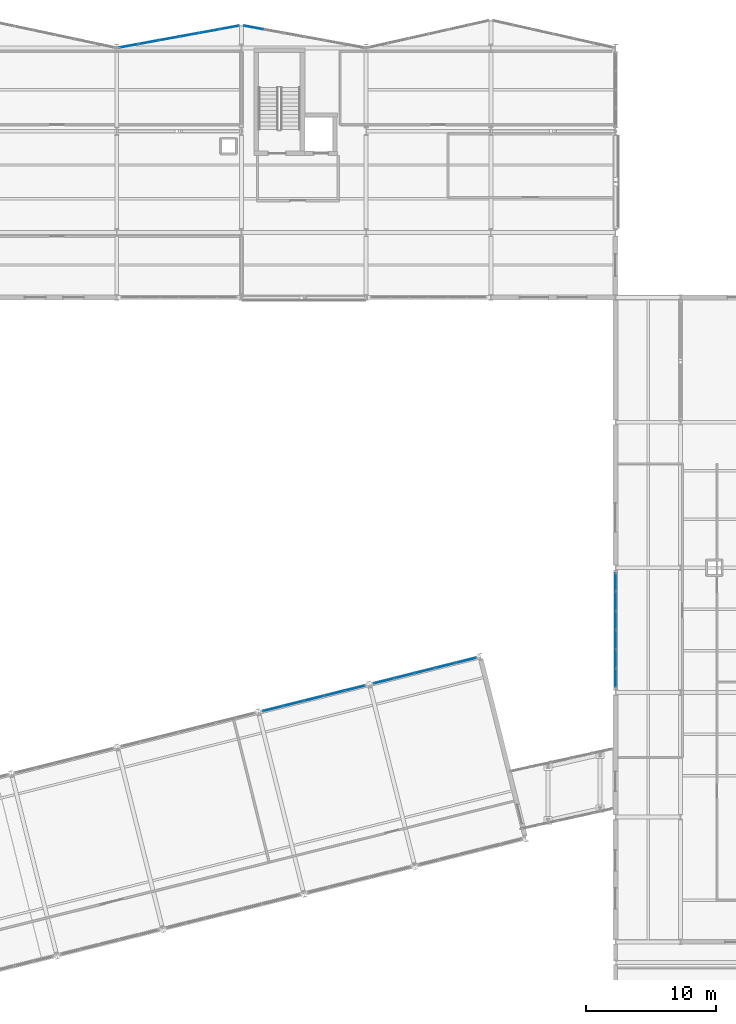
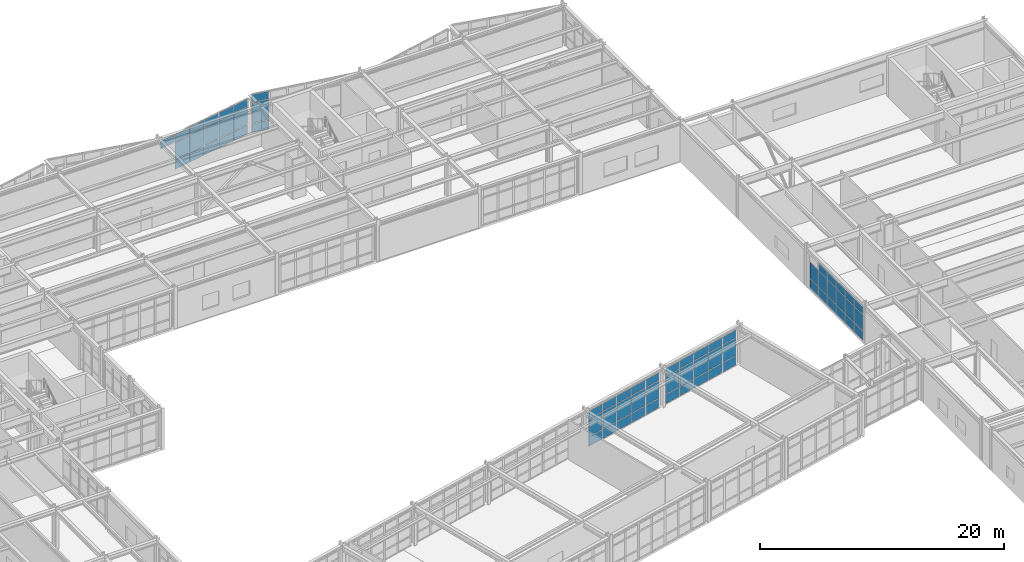
# One storey, part 69 of 99: 66 plates, 5 elements without a shape of their own.
"""IFC4 building model written with IfcOpenShell, lengths in metres."""

from ifc_helpers import new_model, si_unit, direction, frame, origin, origin_2d, place, context, subcontext, project, spatial, rectangle, extrude, material, layer, layer_set, type_object, element, aggregate, save


model = new_model("IFC4")

# Units and contexts
model_context = context("Model", 3, precision=1e-05, world=origin(), true_north=direction((0.0, 1.0)))
body_context = subcontext(model_context, "Body", "Model", "MODEL_VIEW")
ifc_project = project(units=[si_unit("LENGTHUNIT", "METRE"), si_unit("AREAUNIT", "SQUARE_METRE"), si_unit("VOLUMEUNIT", "CUBIC_METRE"), si_unit("PLANEANGLEUNIT", "RADIAN"), si_unit("MASSUNIT", "GRAM", prefix="KILO")], contexts=[model_context])

# Site, building, storey
site_placement = place(None, origin())
site = spatial("IfcSite", under=ifc_project, at=site_placement, CompositionType="ELEMENT")
building_placement = place(site_placement, origin())
building = spatial("IfcBuilding", under=site, at=building_placement, Name="Nordkorset Police Headquarters", CompositionType="ELEMENT")
storey_placement = place(building_placement, frame((0.0, 0.0, 5.25)))
storey = spatial("IfcBuildingStorey", under=building, at=storey_placement, Name="L01", CompositionType="ELEMENT", Elevation=5.25)

# Curtain wall, plates
ifc_material_1 = material(Name="Aluminium alloy AW-6060", Category="aluminium")
ifc_layer_1 = layer(ifc_material_1, 0.179931640625, Name="Aluminium alloy AW-6060")
ifc_layer_set_1 = layer_set([ifc_layer_1], Name="Aluminium alloy AW-6060")
curtain_wall_type_1 = type_object("IfcCurtainWallType", Name="CW_Unit_948x363", PredefinedType="USERDEFINED", material=ifc_layer_set_1)
curtain_wall_1_placement = place(storey_placement, origin())
curtain_wall_1 = element("IfcCurtainWall", 1, at=curtain_wall_1_placement, inside=storey, type_object=curtain_wall_type_1, Name="Unitised Curtain Wall L01 V2N-2", ObjectType="UNITISED CURTAIN WALL", PredefinedType="USERDEFINED")
ifc_material_2 = material(Name="Low-iron triple glazing", Category="glass")
ifc_layer_2 = layer(ifc_material_2, 0.035888671875, Name="Low-iron triple glazing")
ifc_layer_set_2 = layer_set([ifc_layer_2], Name="Low-iron triple glazing")
plate_type = type_object("IfcPlateType", Name="CW_Panel_TripleGlazing_36", PredefinedType="CURTAIN_PANEL", material=ifc_layer_set_2)
plate_1_placement = place(storey_placement, frame((48.9306640625, 116.9697265625, 2.8125), z_axis=(0.0, 0.0, 1.0), x_axis=(0.983787934979, 0.179335715876, 0.0)))
plate_1 = element("IfcPlate", 2, at=plate_1_placement, type_object=plate_type, Name="CW-69 panel 1.3", PredefinedType="CURTAIN_PANEL", context=body_context, shape_type="SweptSolid", body=[
    extrude(rectangle(XDim=1.482177734375, YDim=0.035888671875, at=origin_2d()), origin(), (0.0, 0.0, 1.0), 0.75244140625),
])
plate_2_placement = place(storey_placement, frame((50.46875, 117.25, 0.06494140625), z_axis=(0.0, 0.0, 1.0), x_axis=(0.983787934979, 0.179335715876, 0.0)))
plate_2 = element("IfcPlate", 3, at=plate_2_placement, type_object=plate_type, Name="CW-69 panel 2.1", PredefinedType="CURTAIN_PANEL", context=body_context, shape_type="SweptSolid", body=[
    extrude(rectangle(XDim=1.5146484375, YDim=0.035888671875, at=origin_2d()), origin(), (0.0, 0.0, 1.0), 0.902587890625),
])
plate_3_placement = place(storey_placement, frame((50.46875, 117.25, 1.0322265625), z_axis=(0.0, 0.0, 1.0), x_axis=(0.983787934979, 0.179335715876, 0.0)))
plate_3 = element("IfcPlate", 4, at=plate_3_placement, type_object=plate_type, Name="CW-69 panel 2.2", PredefinedType="CURTAIN_PANEL", context=body_context, shape_type="SweptSolid", body=[
    extrude(rectangle(XDim=1.5146484375, YDim=0.035888671875, at=origin_2d()), origin(), (0.0, 0.0, 1.0), 1.715087890625),
])
plate_4_placement = place(storey_placement, frame((50.46875, 117.25, 2.8125), z_axis=(0.0, 0.0, 1.0), x_axis=(0.983787934979, 0.179335715876, 0.0)))
plate_4 = element("IfcPlate", 5, at=plate_4_placement, type_object=plate_type, Name="CW-69 panel 2.3", PredefinedType="CURTAIN_PANEL", context=body_context, shape_type="SweptSolid", body=[
    extrude(rectangle(XDim=1.5146484375, YDim=0.035888671875, at=origin_2d()), origin(), (0.0, 0.0, 1.0), 0.75244140625),
])
plate_5_placement = place(storey_placement, frame((52.02294921875, 117.533447265625, 0.06494140625), z_axis=(0.0, 0.0, 1.0), x_axis=(0.983787934979, 0.179335715876, 0.0)))
plate_5 = element("IfcPlate", 6, at=plate_5_placement, type_object=plate_type, Name="CW-69 panel 3.1", PredefinedType="CURTAIN_PANEL", context=body_context, shape_type="SweptSolid", body=[
    extrude(rectangle(XDim=1.5146484375, YDim=0.035888671875, at=origin_2d()), origin(), (0.0, 0.0, 1.0), 0.902587890625),
])
plate_6_placement = place(storey_placement, frame((52.02294921875, 117.533447265625, 1.0322265625), z_axis=(0.0, 0.0, 1.0), x_axis=(0.983787934979, 0.179335715876, 0.0)))
plate_6 = element("IfcPlate", 7, at=plate_6_placement, type_object=plate_type, Name="CW-69 panel 3.2", PredefinedType="CURTAIN_PANEL", context=body_context, shape_type="SweptSolid", body=[
    extrude(rectangle(XDim=1.5146484375, YDim=0.035888671875, at=origin_2d()), origin(), (0.0, 0.0, 1.0), 1.715087890625),
])
plate_7_placement = place(storey_placement, frame((52.02294921875, 117.533447265625, 2.8125), z_axis=(0.0, 0.0, 1.0), x_axis=(0.983787934979, 0.179335715876, 0.0)))
plate_7 = element("IfcPlate", 8, at=plate_7_placement, type_object=plate_type, Name="CW-69 panel 3.3", PredefinedType="CURTAIN_PANEL", context=body_context, shape_type="SweptSolid", body=[
    extrude(rectangle(XDim=1.5146484375, YDim=0.035888671875, at=origin_2d()), origin(), (0.0, 0.0, 1.0), 0.75244140625),
])
plate_8_placement = place(storey_placement, frame((53.5771484375, 117.816650390625, 0.06494140625), z_axis=(0.0, 0.0, 1.0), x_axis=(0.983787934979, 0.179335715876, 0.0)))
plate_8 = element("IfcPlate", 9, at=plate_8_placement, type_object=plate_type, Name="CW-69 panel 4.1", PredefinedType="CURTAIN_PANEL", context=body_context, shape_type="SweptSolid", body=[
    extrude(rectangle(XDim=1.5146484375, YDim=0.035888671875, at=origin_2d()), origin(), (0.0, 0.0, 1.0), 0.902587890625),
])
plate_9_placement = place(storey_placement, frame((53.5771484375, 117.816650390625, 1.0322265625), z_axis=(0.0, 0.0, 1.0), x_axis=(0.983787934979, 0.179335715876, 0.0)))
plate_9 = element("IfcPlate", 10, at=plate_9_placement, type_object=plate_type, Name="CW-69 panel 4.2", PredefinedType="CURTAIN_PANEL", context=body_context, shape_type="SweptSolid", body=[
    extrude(rectangle(XDim=1.5146484375, YDim=0.035888671875, at=origin_2d()), origin(), (0.0, 0.0, 1.0), 1.715087890625),
])
plate_10_placement = place(storey_placement, frame((53.5771484375, 117.816650390625, 2.8125), z_axis=(0.0, 0.0, 1.0), x_axis=(0.983787934979, 0.179335715876, 0.0)))
plate_10 = element("IfcPlate", 11, at=plate_10_placement, type_object=plate_type, Name="CW-69 panel 4.3", PredefinedType="CURTAIN_PANEL", context=body_context, shape_type="SweptSolid", body=[
    extrude(rectangle(XDim=1.5146484375, YDim=0.035888671875, at=origin_2d()), origin(), (0.0, 0.0, 1.0), 0.75244140625),
])
plate_11_placement = place(storey_placement, frame((55.131103515625, 118.099853515625, 0.06494140625), z_axis=(0.0, 0.0, 1.0), x_axis=(0.983787934979, 0.179335715876, 0.0)))
plate_11 = element("IfcPlate", 12, at=plate_11_placement, type_object=plate_type, Name="CW-69 panel 5.1", PredefinedType="CURTAIN_PANEL", context=body_context, shape_type="SweptSolid", body=[
    extrude(rectangle(XDim=1.5146484375, YDim=0.035888671875, at=origin_2d()), origin(), (0.0, 0.0, 1.0), 0.902587890625),
])
plate_12_placement = place(storey_placement, frame((55.131103515625, 118.099853515625, 1.0322265625), z_axis=(0.0, 0.0, 1.0), x_axis=(0.983787934979, 0.179335715876, 0.0)))
plate_12 = element("IfcPlate", 13, at=plate_12_placement, type_object=plate_type, Name="CW-69 panel 5.2", PredefinedType="CURTAIN_PANEL", context=body_context, shape_type="SweptSolid", body=[
    extrude(rectangle(XDim=1.5146484375, YDim=0.035888671875, at=origin_2d()), origin(), (0.0, 0.0, 1.0), 1.715087890625),
])
plate_13_placement = place(storey_placement, frame((55.131103515625, 118.099853515625, 2.8125), z_axis=(0.0, 0.0, 1.0), x_axis=(0.983787934979, 0.179335715876, 0.0)))
plate_13 = element("IfcPlate", 14, at=plate_13_placement, type_object=plate_type, Name="CW-69 panel 5.3", PredefinedType="CURTAIN_PANEL", context=body_context, shape_type="SweptSolid", body=[
    extrude(rectangle(XDim=1.5146484375, YDim=0.035888671875, at=origin_2d()), origin(), (0.0, 0.0, 1.0), 0.75244140625),
])
plate_14_placement = place(storey_placement, frame((56.669189453125, 118.38037109375, 0.06494140625), z_axis=(0.0, 0.0, 1.0), x_axis=(0.983787934979, 0.179335715876, 0.0)))
plate_14 = element("IfcPlate", 15, at=plate_14_placement, type_object=plate_type, Name="CW-69 panel 6.1", PredefinedType="CURTAIN_PANEL", context=body_context, shape_type="SweptSolid", body=[
    extrude(rectangle(XDim=1.482177734375, YDim=0.035888671875, at=origin_2d()), origin(), (0.0, 0.0, 1.0), 0.902587890625),
])
plate_15_placement = place(storey_placement, frame((56.669189453125, 118.38037109375, 1.0322265625), z_axis=(0.0, 0.0, 1.0), x_axis=(0.983787934979, 0.179335715876, 0.0)))
plate_15 = element("IfcPlate", 16, at=plate_15_placement, type_object=plate_type, Name="CW-69 panel 6.2", PredefinedType="CURTAIN_PANEL", context=body_context, shape_type="SweptSolid", body=[
    extrude(rectangle(XDim=1.482177734375, YDim=0.035888671875, at=origin_2d()), origin(), (0.0, 0.0, 1.0), 1.715087890625),
])
plate_16_placement = place(storey_placement, frame((56.669189453125, 118.38037109375, 2.8125), z_axis=(0.0, 0.0, 1.0), x_axis=(0.983787934979, 0.179335715876, 0.0)))
plate_16 = element("IfcPlate", 17, at=plate_16_placement, type_object=plate_type, Name="CW-69 panel 6.3", PredefinedType="CURTAIN_PANEL", context=body_context, shape_type="SweptSolid", body=[
    extrude(rectangle(XDim=1.482177734375, YDim=0.035888671875, at=origin_2d()), origin(), (0.0, 0.0, 1.0), 0.75244140625),
])
aggregate(curtain_wall_1, [plate_1, plate_2, plate_3, plate_4, plate_5, plate_6, plate_7, plate_8, plate_9, plate_10, plate_11, plate_12, plate_13, plate_14, plate_15, plate_16])

ifc_material_3 = material(Name="Aluminium alloy AW-6060", Category="aluminium")
ifc_layer_3 = layer(ifc_material_3, 0.179931640625, Name="Aluminium alloy AW-6060")
ifc_layer_set_3 = layer_set([ifc_layer_3], Name="Aluminium alloy AW-6060")
curtain_wall_type_2 = type_object("IfcCurtainWallType", Name="CW_Unit_948x392", PredefinedType="USERDEFINED", material=ifc_layer_set_3)
curtain_wall_2_placement = place(storey_placement, origin())
curtain_wall_2 = element("IfcCurtainWall", 18, at=curtain_wall_2_placement, inside=storey, type_object=curtain_wall_type_2, Name="Unitised Curtain Wall L01 V2N-3", ObjectType="UNITISED CURTAIN WALL", PredefinedType="USERDEFINED")
plate_17_placement = place(storey_placement, frame((58.53076171875, 118.38037109375, 0.06494140625), z_axis=(0.0, 0.0, 1.0), x_axis=(0.983787934979, -0.179335715876, 0.0)))
plate_17 = element("IfcPlate", 19, at=plate_17_placement, type_object=plate_type, Name="CW-65 panel 1.1", PredefinedType="CURTAIN_PANEL", context=body_context, shape_type="SweptSolid", body=[
    extrude(rectangle(XDim=1.482177734375, YDim=0.035888671875, at=origin_2d()), origin(), (0.0, 0.0, 1.0), 0.902587890625),
])
plate_18_placement = place(storey_placement, frame((58.53076171875, 118.38037109375, 1.032470703125), z_axis=(0.0, 0.0, 1.0), x_axis=(0.983787934979, -0.179335715876, 0.0)))
plate_18 = element("IfcPlate", 20, at=plate_18_placement, type_object=plate_type, Name="CW-65 panel 1.2", PredefinedType="CURTAIN_PANEL", context=body_context, shape_type="SweptSolid", body=[
    extrude(rectangle(XDim=1.482177734375, YDim=0.035888671875, at=origin_2d()), origin(), (0.0, 0.0, 1.0), 2.0048828125),
])
plate_19_placement = place(storey_placement, frame((58.53076171875, 118.38037109375, 3.1025390625), z_axis=(0.0, 0.0, 1.0), x_axis=(0.983787934979, -0.179335715876, 0.0)))
plate_19 = element("IfcPlate", 21, at=plate_19_placement, type_object=plate_type, Name="CW-65 panel 1.3", PredefinedType="CURTAIN_PANEL", context=body_context, shape_type="SweptSolid", body=[
    extrude(rectangle(XDim=1.482177734375, YDim=0.035888671875, at=origin_2d()), origin(), (0.0, 0.0, 1.0), 0.75244140625),
])
aggregate(curtain_wall_2, [plate_17, plate_18, plate_19])

ifc_material_4 = material(Name="Aluminium alloy AW-6060", Category="aluminium")
ifc_layer_4 = layer(ifc_material_4, 0.179931640625, Name="Aluminium alloy AW-6060")
ifc_layer_set_4 = layer_set([ifc_layer_4], Name="Aluminium alloy AW-6060")
curtain_wall_type_3 = type_object("IfcCurtainWallType", Name="CW_Unit_816x363", PredefinedType="USERDEFINED", material=ifc_layer_set_4)
curtain_wall_3_placement = place(storey_placement, origin())
curtain_wall_3 = element("IfcCurtainWall", 22, at=curtain_wall_3_placement, inside=storey, type_object=curtain_wall_type_3, Name="Unitised Curtain Wall L01 V4N-4", ObjectType="UNITISED CURTAIN WALL", PredefinedType="USERDEFINED")
plate_20_placement = place(storey_placement, frame((60.031005859375, 65.950927734375, 0.06494140625), z_axis=(0.0, 0.0, 1.0), x_axis=(0.970142572234, 0.242535336683, 0.0)))
plate_20 = element("IfcPlate", 23, at=plate_20_placement, type_object=plate_type, Name="CW-34 panel 1.1", PredefinedType="CURTAIN_PANEL", context=body_context, shape_type="SweptSolid", body=[
    extrude(rectangle(XDim=1.534423828125, YDim=0.035888671875, at=origin_2d()), origin(), (0.0, 0.0, 1.0), 0.902587890625),
])
plate_21_placement = place(storey_placement, frame((60.031005859375, 65.950927734375, 1.0322265625), z_axis=(0.0, 0.0, 1.0), x_axis=(0.970142572234, 0.242535336683, 0.0)))
plate_21 = element("IfcPlate", 24, at=plate_21_placement, type_object=plate_type, Name="CW-34 panel 1.2", PredefinedType="CURTAIN_PANEL", context=body_context, shape_type="SweptSolid", body=[
    extrude(rectangle(XDim=1.534423828125, YDim=0.035888671875, at=origin_2d()), origin(), (0.0, 0.0, 1.0), 1.715087890625),
])
plate_22_placement = place(storey_placement, frame((60.031005859375, 65.950927734375, 2.8125), z_axis=(0.0, 0.0, 1.0), x_axis=(0.970142572234, 0.242535336683, 0.0)))
plate_22 = element("IfcPlate", 25, at=plate_22_placement, type_object=plate_type, Name="CW-34 panel 1.3", PredefinedType="CURTAIN_PANEL", context=body_context, shape_type="SweptSolid", body=[
    extrude(rectangle(XDim=1.534423828125, YDim=0.035888671875, at=origin_2d()), origin(), (0.0, 0.0, 1.0), 0.75244140625),
])
plate_23_placement = place(storey_placement, frame((61.5986328125, 66.3427734375, 0.06494140625), z_axis=(0.0, 0.0, 1.0), x_axis=(0.970142572234, 0.242535336683, 0.0)))
plate_23 = element("IfcPlate", 26, at=plate_23_placement, type_object=plate_type, Name="CW-34 panel 2.1", PredefinedType="CURTAIN_PANEL", context=body_context, shape_type="SweptSolid", body=[
    extrude(rectangle(XDim=1.56689453125, YDim=0.035888671875, at=origin_2d()), origin(), (0.0, 0.0, 1.0), 0.902587890625),
])
plate_24_placement = place(storey_placement, frame((61.5986328125, 66.3427734375, 1.0322265625), z_axis=(0.0, 0.0, 1.0), x_axis=(0.970142572234, 0.242535336683, 0.0)))
plate_24 = element("IfcPlate", 27, at=plate_24_placement, type_object=plate_type, Name="CW-34 panel 2.2", PredefinedType="CURTAIN_PANEL", context=body_context, shape_type="SweptSolid", body=[
    extrude(rectangle(XDim=1.56689453125, YDim=0.035888671875, at=origin_2d()), origin(), (0.0, 0.0, 1.0), 1.715087890625),
])
plate_25_placement = place(storey_placement, frame((61.5986328125, 66.3427734375, 2.8125), z_axis=(0.0, 0.0, 1.0), x_axis=(0.970142572234, 0.242535336683, 0.0)))
plate_25 = element("IfcPlate", 28, at=plate_25_placement, type_object=plate_type, Name="CW-34 panel 2.3", PredefinedType="CURTAIN_PANEL", context=body_context, shape_type="SweptSolid", body=[
    extrude(rectangle(XDim=1.56689453125, YDim=0.035888671875, at=origin_2d()), origin(), (0.0, 0.0, 1.0), 0.75244140625),
])
plate_26_placement = place(storey_placement, frame((63.181884765625, 66.738525390625, 0.06494140625), z_axis=(0.0, 0.0, 1.0), x_axis=(0.970142572234, 0.242535336683, 0.0)))
plate_26 = element("IfcPlate", 29, at=plate_26_placement, type_object=plate_type, Name="CW-34 panel 3.1", PredefinedType="CURTAIN_PANEL", context=body_context, shape_type="SweptSolid", body=[
    extrude(rectangle(XDim=1.56689453125, YDim=0.035888671875, at=origin_2d()), origin(), (0.0, 0.0, 1.0), 0.902587890625),
])
plate_27_placement = place(storey_placement, frame((63.181884765625, 66.738525390625, 1.0322265625), z_axis=(0.0, 0.0, 1.0), x_axis=(0.970142572234, 0.242535336683, 0.0)))
plate_27 = element("IfcPlate", 30, at=plate_27_placement, type_object=plate_type, Name="CW-34 panel 3.2", PredefinedType="CURTAIN_PANEL", context=body_context, shape_type="SweptSolid", body=[
    extrude(rectangle(XDim=1.56689453125, YDim=0.035888671875, at=origin_2d()), origin(), (0.0, 0.0, 1.0), 1.715087890625),
])
plate_28_placement = place(storey_placement, frame((63.181884765625, 66.738525390625, 2.8125), z_axis=(0.0, 0.0, 1.0), x_axis=(0.970142572234, 0.242535336683, 0.0)))
plate_28 = element("IfcPlate", 31, at=plate_28_placement, type_object=plate_type, Name="CW-34 panel 3.3", PredefinedType="CURTAIN_PANEL", context=body_context, shape_type="SweptSolid", body=[
    extrude(rectangle(XDim=1.56689453125, YDim=0.035888671875, at=origin_2d()), origin(), (0.0, 0.0, 1.0), 0.75244140625),
])
plate_29_placement = place(storey_placement, frame((64.76513671875, 67.134521484375, 0.06494140625), z_axis=(0.0, 0.0, 1.0), x_axis=(0.970142572234, 0.242535336683, 0.0)))
plate_29 = element("IfcPlate", 32, at=plate_29_placement, type_object=plate_type, Name="CW-34 panel 4.1", PredefinedType="CURTAIN_PANEL", context=body_context, shape_type="SweptSolid", body=[
    extrude(rectangle(XDim=1.56689453125, YDim=0.035888671875, at=origin_2d()), origin(), (0.0, 0.0, 1.0), 0.902587890625),
])
plate_30_placement = place(storey_placement, frame((64.76513671875, 67.134521484375, 1.0322265625), z_axis=(0.0, 0.0, 1.0), x_axis=(0.970142572234, 0.242535336683, 0.0)))
plate_30 = element("IfcPlate", 33, at=plate_30_placement, type_object=plate_type, Name="CW-34 panel 4.2", PredefinedType="CURTAIN_PANEL", context=body_context, shape_type="SweptSolid", body=[
    extrude(rectangle(XDim=1.56689453125, YDim=0.035888671875, at=origin_2d()), origin(), (0.0, 0.0, 1.0), 1.715087890625),
])
plate_31_placement = place(storey_placement, frame((64.76513671875, 67.134521484375, 2.8125), z_axis=(0.0, 0.0, 1.0), x_axis=(0.970142572234, 0.242535336683, 0.0)))
plate_31 = element("IfcPlate", 34, at=plate_31_placement, type_object=plate_type, Name="CW-34 panel 4.3", PredefinedType="CURTAIN_PANEL", context=body_context, shape_type="SweptSolid", body=[
    extrude(rectangle(XDim=1.56689453125, YDim=0.035888671875, at=origin_2d()), origin(), (0.0, 0.0, 1.0), 0.75244140625),
])
plate_32_placement = place(storey_placement, frame((66.33251953125, 67.5263671875, 0.06494140625), z_axis=(0.0, 0.0, 1.0), x_axis=(0.970142572234, 0.242535336683, 0.0)))
plate_32 = element("IfcPlate", 35, at=plate_32_placement, type_object=plate_type, Name="CW-34 panel 5.1", PredefinedType="CURTAIN_PANEL", context=body_context, shape_type="SweptSolid", body=[
    extrude(rectangle(XDim=1.534423828125, YDim=0.035888671875, at=origin_2d()), origin(), (0.0, 0.0, 1.0), 0.902587890625),
])
plate_33_placement = place(storey_placement, frame((66.33251953125, 67.5263671875, 1.0322265625), z_axis=(0.0, 0.0, 1.0), x_axis=(0.970142572234, 0.242535336683, 0.0)))
plate_33 = element("IfcPlate", 36, at=plate_33_placement, type_object=plate_type, Name="CW-34 panel 5.2", PredefinedType="CURTAIN_PANEL", context=body_context, shape_type="SweptSolid", body=[
    extrude(rectangle(XDim=1.534423828125, YDim=0.035888671875, at=origin_2d()), origin(), (0.0, 0.0, 1.0), 1.715087890625),
])
plate_34_placement = place(storey_placement, frame((66.33251953125, 67.5263671875, 2.8125), z_axis=(0.0, 0.0, 1.0), x_axis=(0.970142572234, 0.242535336683, 0.0)))
plate_34 = element("IfcPlate", 37, at=plate_34_placement, type_object=plate_type, Name="CW-34 panel 5.3", PredefinedType="CURTAIN_PANEL", context=body_context, shape_type="SweptSolid", body=[
    extrude(rectangle(XDim=1.534423828125, YDim=0.035888671875, at=origin_2d()), origin(), (0.0, 0.0, 1.0), 0.75244140625),
])
aggregate(curtain_wall_3, [plate_20, plate_21, plate_22, plate_23, plate_24, plate_25, plate_26, plate_27, plate_28, plate_29, plate_30, plate_31, plate_32, plate_33, plate_34])

curtain_wall_4_placement = place(storey_placement, origin())
curtain_wall_4 = element("IfcCurtainWall", 38, at=curtain_wall_4_placement, inside=storey, type_object=curtain_wall_type_3, Name="Unitised Curtain Wall L01 V4N-5", ObjectType="UNITISED CURTAIN WALL", PredefinedType="USERDEFINED")
plate_35_placement = place(storey_placement, frame((68.568359375, 68.085205078125, 0.06494140625), z_axis=(0.0, 0.0, 1.0), x_axis=(0.970142500145, 0.242535625038, 0.0)))
plate_35 = element("IfcPlate", 39, at=plate_35_placement, type_object=plate_type, Name="CW-34 panel 1.1", PredefinedType="CURTAIN_PANEL", context=body_context, shape_type="SweptSolid", body=[
    extrude(rectangle(XDim=1.534423828125, YDim=0.035888671875, at=origin_2d()), origin(), (0.0, 0.0, 1.0), 0.902587890625),
])
plate_36_placement = place(storey_placement, frame((68.568359375, 68.085205078125, 1.0322265625), z_axis=(0.0, 0.0, 1.0), x_axis=(0.970142500145, 0.242535625038, 0.0)))
plate_36 = element("IfcPlate", 40, at=plate_36_placement, type_object=plate_type, Name="CW-34 panel 1.2", PredefinedType="CURTAIN_PANEL", context=body_context, shape_type="SweptSolid", body=[
    extrude(rectangle(XDim=1.534423828125, YDim=0.035888671875, at=origin_2d()), origin(), (0.0, 0.0, 1.0), 1.715087890625),
])
plate_37_placement = place(storey_placement, frame((68.568359375, 68.085205078125, 2.8125), z_axis=(0.0, 0.0, 1.0), x_axis=(0.970142500145, 0.242535625038, 0.0)))
plate_37 = element("IfcPlate", 41, at=plate_37_placement, type_object=plate_type, Name="CW-34 panel 1.3", PredefinedType="CURTAIN_PANEL", context=body_context, shape_type="SweptSolid", body=[
    extrude(rectangle(XDim=1.534423828125, YDim=0.035888671875, at=origin_2d()), origin(), (0.0, 0.0, 1.0), 0.75244140625),
])
plate_38_placement = place(storey_placement, frame((70.1357421875, 68.47705078125, 0.06494140625), z_axis=(0.0, 0.0, 1.0), x_axis=(0.970142500145, 0.242535625038, 0.0)))
plate_38 = element("IfcPlate", 42, at=plate_38_placement, type_object=plate_type, Name="CW-34 panel 2.1", PredefinedType="CURTAIN_PANEL", context=body_context, shape_type="SweptSolid", body=[
    extrude(rectangle(XDim=1.56689453125, YDim=0.035888671875, at=origin_2d()), origin(), (0.0, 0.0, 1.0), 0.902587890625),
])
plate_39_placement = place(storey_placement, frame((70.1357421875, 68.47705078125, 1.0322265625), z_axis=(0.0, 0.0, 1.0), x_axis=(0.970142500145, 0.242535625038, 0.0)))
plate_39 = element("IfcPlate", 43, at=plate_39_placement, type_object=plate_type, Name="CW-34 panel 2.2", PredefinedType="CURTAIN_PANEL", context=body_context, shape_type="SweptSolid", body=[
    extrude(rectangle(XDim=1.56689453125, YDim=0.035888671875, at=origin_2d()), origin(), (0.0, 0.0, 1.0), 1.715087890625),
])
plate_40_placement = place(storey_placement, frame((70.1357421875, 68.47705078125, 2.8125), z_axis=(0.0, 0.0, 1.0), x_axis=(0.970142500145, 0.242535625038, 0.0)))
plate_40 = element("IfcPlate", 44, at=plate_40_placement, type_object=plate_type, Name="CW-34 panel 2.3", PredefinedType="CURTAIN_PANEL", context=body_context, shape_type="SweptSolid", body=[
    extrude(rectangle(XDim=1.56689453125, YDim=0.035888671875, at=origin_2d()), origin(), (0.0, 0.0, 1.0), 0.75244140625),
])
plate_41_placement = place(storey_placement, frame((71.718994140625, 68.873046875, 0.06494140625), z_axis=(0.0, 0.0, 1.0), x_axis=(0.970142500145, 0.242535625038, 0.0)))
plate_41 = element("IfcPlate", 45, at=plate_41_placement, type_object=plate_type, Name="CW-34 panel 3.1", PredefinedType="CURTAIN_PANEL", context=body_context, shape_type="SweptSolid", body=[
    extrude(rectangle(XDim=1.56689453125, YDim=0.035888671875, at=origin_2d()), origin(), (0.0, 0.0, 1.0), 0.902587890625),
])
plate_42_placement = place(storey_placement, frame((71.718994140625, 68.873046875, 1.0322265625), z_axis=(0.0, 0.0, 1.0), x_axis=(0.970142500145, 0.242535625038, 0.0)))
plate_42 = element("IfcPlate", 46, at=plate_42_placement, type_object=plate_type, Name="CW-34 panel 3.2", PredefinedType="CURTAIN_PANEL", context=body_context, shape_type="SweptSolid", body=[
    extrude(rectangle(XDim=1.56689453125, YDim=0.035888671875, at=origin_2d()), origin(), (0.0, 0.0, 1.0), 1.715087890625),
])
plate_43_placement = place(storey_placement, frame((71.718994140625, 68.873046875, 2.8125), z_axis=(0.0, 0.0, 1.0), x_axis=(0.970142500145, 0.242535625038, 0.0)))
plate_43 = element("IfcPlate", 47, at=plate_43_placement, type_object=plate_type, Name="CW-34 panel 3.3", PredefinedType="CURTAIN_PANEL", context=body_context, shape_type="SweptSolid", body=[
    extrude(rectangle(XDim=1.56689453125, YDim=0.035888671875, at=origin_2d()), origin(), (0.0, 0.0, 1.0), 0.75244140625),
])
plate_44_placement = place(storey_placement, frame((73.30224609375, 69.268798828125, 0.06494140625), z_axis=(0.0, 0.0, 1.0), x_axis=(0.970142500145, 0.242535625038, 0.0)))
plate_44 = element("IfcPlate", 48, at=plate_44_placement, type_object=plate_type, Name="CW-34 panel 4.1", PredefinedType="CURTAIN_PANEL", context=body_context, shape_type="SweptSolid", body=[
    extrude(rectangle(XDim=1.56689453125, YDim=0.035888671875, at=origin_2d()), origin(), (0.0, 0.0, 1.0), 0.902587890625),
])
plate_45_placement = place(storey_placement, frame((73.30224609375, 69.268798828125, 1.0322265625), z_axis=(0.0, 0.0, 1.0), x_axis=(0.970142500145, 0.242535625038, 0.0)))
plate_45 = element("IfcPlate", 49, at=plate_45_placement, type_object=plate_type, Name="CW-34 panel 4.2", PredefinedType="CURTAIN_PANEL", context=body_context, shape_type="SweptSolid", body=[
    extrude(rectangle(XDim=1.56689453125, YDim=0.035888671875, at=origin_2d()), origin(), (0.0, 0.0, 1.0), 1.715087890625),
])
plate_46_placement = place(storey_placement, frame((73.30224609375, 69.268798828125, 2.8125), z_axis=(0.0, 0.0, 1.0), x_axis=(0.970142500145, 0.242535625038, 0.0)))
plate_46 = element("IfcPlate", 50, at=plate_46_placement, type_object=plate_type, Name="CW-34 panel 4.3", PredefinedType="CURTAIN_PANEL", context=body_context, shape_type="SweptSolid", body=[
    extrude(rectangle(XDim=1.56689453125, YDim=0.035888671875, at=origin_2d()), origin(), (0.0, 0.0, 1.0), 0.75244140625),
])
plate_47_placement = place(storey_placement, frame((74.869873046875, 69.66064453125, 0.06494140625), z_axis=(0.0, 0.0, 1.0), x_axis=(0.970142500145, 0.242535625038, 0.0)))
plate_47 = element("IfcPlate", 51, at=plate_47_placement, type_object=plate_type, Name="CW-34 panel 5.1", PredefinedType="CURTAIN_PANEL", context=body_context, shape_type="SweptSolid", body=[
    extrude(rectangle(XDim=1.534423828125, YDim=0.035888671875, at=origin_2d()), origin(), (0.0, 0.0, 1.0), 0.902587890625),
])
plate_48_placement = place(storey_placement, frame((74.869873046875, 69.66064453125, 1.0322265625), z_axis=(0.0, 0.0, 1.0), x_axis=(0.970142500145, 0.242535625038, 0.0)))
plate_48 = element("IfcPlate", 52, at=plate_48_placement, type_object=plate_type, Name="CW-34 panel 5.2", PredefinedType="CURTAIN_PANEL", context=body_context, shape_type="SweptSolid", body=[
    extrude(rectangle(XDim=1.534423828125, YDim=0.035888671875, at=origin_2d()), origin(), (0.0, 0.0, 1.0), 1.715087890625),
])
plate_49_placement = place(storey_placement, frame((74.869873046875, 69.66064453125, 2.8125), z_axis=(0.0, 0.0, 1.0), x_axis=(0.970142500145, 0.242535625038, 0.0)))
plate_49 = element("IfcPlate", 53, at=plate_49_placement, type_object=plate_type, Name="CW-34 panel 5.3", PredefinedType="CURTAIN_PANEL", context=body_context, shape_type="SweptSolid", body=[
    extrude(rectangle(XDim=1.534423828125, YDim=0.035888671875, at=origin_2d()), origin(), (0.0, 0.0, 1.0), 0.75244140625),
])
aggregate(curtain_wall_4, [plate_35, plate_36, plate_37, plate_38, plate_39, plate_40, plate_41, plate_42, plate_43, plate_44, plate_45, plate_46, plate_47, plate_48, plate_49])

ifc_material_5 = material(Name="Aluminium alloy AW-6060", Category="aluminium")
ifc_layer_5 = layer(ifc_material_5, 0.179931640625, Name="Aluminium alloy AW-6060")
ifc_layer_set_5 = layer_set([ifc_layer_5], Name="Aluminium alloy AW-6060")
curtain_wall_type_4 = type_object("IfcCurtainWallType", Name="CW_Unit_888x350", PredefinedType="USERDEFINED", material=ifc_layer_set_5)
curtain_wall_5_placement = place(storey_placement, origin())
curtain_wall_5 = element("IfcCurtainWall", 54, at=curtain_wall_5_placement, inside=storey, type_object=curtain_wall_type_4, Name="Unitised Curtain Wall L01 V5W-2", ObjectType="UNITISED CURTAIN WALL", PredefinedType="USERDEFINED")
plate_50_placement = place(storey_placement, frame((86.39990234375, 68.316162109375, 0.06494140625), z_axis=(0.0, 0.0, 1.0), x_axis=(0.0, 1.0, 0.0)))
plate_50 = element("IfcPlate", 55, at=plate_50_placement, type_object=plate_type, Name="CW-95 panel 1.1", PredefinedType="CURTAIN_PANEL", context=body_context, shape_type="SweptSolid", body=[
    extrude(rectangle(XDim=1.382568359375, YDim=0.035888671875, at=origin_2d()), origin(), (0.0, 0.0, 1.0), 0.902587890625),
])
plate_51_placement = place(storey_placement, frame((86.39990234375, 68.316162109375, 1.032470703125), z_axis=(0.0, 0.0, 1.0), x_axis=(0.0, 1.0, 0.0)))
plate_51 = element("IfcPlate", 56, at=plate_51_placement, type_object=plate_type, Name="CW-95 panel 1.2", PredefinedType="CURTAIN_PANEL", context=body_context, shape_type="SweptSolid", body=[
    extrude(rectangle(XDim=1.382568359375, YDim=0.035888671875, at=origin_2d()), origin(), (0.0, 0.0, 1.0), 1.5849609375),
])
plate_52_placement = place(storey_placement, frame((86.39990234375, 68.316162109375, 2.6826171875), z_axis=(0.0, 0.0, 1.0), x_axis=(0.0, 1.0, 0.0)))
plate_52 = element("IfcPlate", 57, at=plate_52_placement, type_object=plate_type, Name="CW-95 panel 1.3", PredefinedType="CURTAIN_PANEL", context=body_context, shape_type="SweptSolid", body=[
    extrude(rectangle(XDim=1.382568359375, YDim=0.035888671875, at=origin_2d()), origin(), (0.0, 0.0, 1.0), 0.75244140625),
])
plate_53_placement = place(storey_placement, frame((86.39990234375, 69.780029296875, 0.06494140625), z_axis=(0.0, 0.0, 1.0), x_axis=(0.0, 1.0, 0.0)))
plate_53 = element("IfcPlate", 58, at=plate_53_placement, type_object=plate_type, Name="CW-95 panel 2.1", PredefinedType="CURTAIN_PANEL", context=body_context, shape_type="SweptSolid", body=[
    extrude(rectangle(XDim=1.4150390625, YDim=0.035888671875, at=origin_2d()), origin(), (0.0, 0.0, 1.0), 0.902587890625),
])
plate_54_placement = place(storey_placement, frame((86.39990234375, 69.780029296875, 1.032470703125), z_axis=(0.0, 0.0, 1.0), x_axis=(0.0, 1.0, 0.0)))
plate_54 = element("IfcPlate", 59, at=plate_54_placement, type_object=plate_type, Name="CW-95 panel 2.2", PredefinedType="CURTAIN_PANEL", context=body_context, shape_type="SweptSolid", body=[
    extrude(rectangle(XDim=1.4150390625, YDim=0.035888671875, at=origin_2d()), origin(), (0.0, 0.0, 1.0), 1.5849609375),
])
plate_55_placement = place(storey_placement, frame((86.39990234375, 69.780029296875, 2.6826171875), z_axis=(0.0, 0.0, 1.0), x_axis=(0.0, 1.0, 0.0)))
plate_55 = element("IfcPlate", 60, at=plate_55_placement, type_object=plate_type, Name="CW-95 panel 2.3", PredefinedType="CURTAIN_PANEL", context=body_context, shape_type="SweptSolid", body=[
    extrude(rectangle(XDim=1.4150390625, YDim=0.035888671875, at=origin_2d()), origin(), (0.0, 0.0, 1.0), 0.75244140625),
])
plate_56_placement = place(storey_placement, frame((86.39990234375, 71.260009765625, 0.06494140625), z_axis=(0.0, 0.0, 1.0), x_axis=(0.0, 1.0, 0.0)))
plate_56 = element("IfcPlate", 61, at=plate_56_placement, type_object=plate_type, Name="CW-95 panel 3.1", PredefinedType="CURTAIN_PANEL", context=body_context, shape_type="SweptSolid", body=[
    extrude(rectangle(XDim=1.4150390625, YDim=0.035888671875, at=origin_2d()), origin(), (0.0, 0.0, 1.0), 0.902587890625),
])
plate_57_placement = place(storey_placement, frame((86.39990234375, 71.260009765625, 1.032470703125), z_axis=(0.0, 0.0, 1.0), x_axis=(0.0, 1.0, 0.0)))
plate_57 = element("IfcPlate", 62, at=plate_57_placement, type_object=plate_type, Name="CW-95 panel 3.2", PredefinedType="CURTAIN_PANEL", context=body_context, shape_type="SweptSolid", body=[
    extrude(rectangle(XDim=1.4150390625, YDim=0.035888671875, at=origin_2d()), origin(), (0.0, 0.0, 1.0), 1.5849609375),
])
plate_58_placement = place(storey_placement, frame((86.39990234375, 71.260009765625, 2.6826171875), z_axis=(0.0, 0.0, 1.0), x_axis=(0.0, 1.0, 0.0)))
plate_58 = element("IfcPlate", 63, at=plate_58_placement, type_object=plate_type, Name="CW-95 panel 3.3", PredefinedType="CURTAIN_PANEL", context=body_context, shape_type="SweptSolid", body=[
    extrude(rectangle(XDim=1.4150390625, YDim=0.035888671875, at=origin_2d()), origin(), (0.0, 0.0, 1.0), 0.75244140625),
])
plate_59_placement = place(storey_placement, frame((86.39990234375, 72.739990234375, 0.06494140625), z_axis=(0.0, 0.0, 1.0), x_axis=(0.0, 1.0, 0.0)))
plate_59 = element("IfcPlate", 64, at=plate_59_placement, type_object=plate_type, Name="CW-95 panel 4.1", PredefinedType="CURTAIN_PANEL", context=body_context, shape_type="SweptSolid", body=[
    extrude(rectangle(XDim=1.4150390625, YDim=0.035888671875, at=origin_2d()), origin(), (0.0, 0.0, 1.0), 0.902587890625),
])
plate_60_placement = place(storey_placement, frame((86.39990234375, 72.739990234375, 1.032470703125), z_axis=(0.0, 0.0, 1.0), x_axis=(0.0, 1.0, 0.0)))
plate_60 = element("IfcPlate", 65, at=plate_60_placement, type_object=plate_type, Name="CW-95 panel 4.2", PredefinedType="CURTAIN_PANEL", context=body_context, shape_type="SweptSolid", body=[
    extrude(rectangle(XDim=1.4150390625, YDim=0.035888671875, at=origin_2d()), origin(), (0.0, 0.0, 1.0), 1.5849609375),
])
plate_61_placement = place(storey_placement, frame((86.39990234375, 72.739990234375, 2.6826171875), z_axis=(0.0, 0.0, 1.0), x_axis=(0.0, 1.0, 0.0)))
plate_61 = element("IfcPlate", 66, at=plate_61_placement, type_object=plate_type, Name="CW-95 panel 4.3", PredefinedType="CURTAIN_PANEL", context=body_context, shape_type="SweptSolid", body=[
    extrude(rectangle(XDim=1.4150390625, YDim=0.035888671875, at=origin_2d()), origin(), (0.0, 0.0, 1.0), 0.75244140625),
])
plate_62_placement = place(storey_placement, frame((86.39990234375, 74.219970703125, 0.06494140625), z_axis=(0.0, 0.0, 1.0), x_axis=(0.0, 1.0, 0.0)))
plate_62 = element("IfcPlate", 67, at=plate_62_placement, type_object=plate_type, Name="CW-95 panel 5.1", PredefinedType="CURTAIN_PANEL", context=body_context, shape_type="SweptSolid", body=[
    extrude(rectangle(XDim=1.4150390625, YDim=0.035888671875, at=origin_2d()), origin(), (0.0, 0.0, 1.0), 0.902587890625),
])
plate_63_placement = place(storey_placement, frame((86.39990234375, 74.219970703125, 1.032470703125), z_axis=(0.0, 0.0, 1.0), x_axis=(0.0, 1.0, 0.0)))
plate_63 = element("IfcPlate", 68, at=plate_63_placement, type_object=plate_type, Name="CW-95 panel 5.2", PredefinedType="CURTAIN_PANEL", context=body_context, shape_type="SweptSolid", body=[
    extrude(rectangle(XDim=1.4150390625, YDim=0.035888671875, at=origin_2d()), origin(), (0.0, 0.0, 1.0), 1.5849609375),
])
plate_64_placement = place(storey_placement, frame((86.39990234375, 74.219970703125, 2.6826171875), z_axis=(0.0, 0.0, 1.0), x_axis=(0.0, 1.0, 0.0)))
plate_64 = element("IfcPlate", 69, at=plate_64_placement, type_object=plate_type, Name="CW-95 panel 5.3", PredefinedType="CURTAIN_PANEL", context=body_context, shape_type="SweptSolid", body=[
    extrude(rectangle(XDim=1.4150390625, YDim=0.035888671875, at=origin_2d()), origin(), (0.0, 0.0, 1.0), 0.75244140625),
])
plate_65_placement = place(storey_placement, frame((86.39990234375, 75.683837890625, 0.06494140625), z_axis=(0.0, 0.0, 1.0), x_axis=(0.0, 1.0, 0.0)))
plate_65 = element("IfcPlate", 70, at=plate_65_placement, type_object=plate_type, Name="CW-95 panel 6.1", PredefinedType="CURTAIN_PANEL", context=body_context, shape_type="SweptSolid", body=[
    extrude(rectangle(XDim=1.382568359375, YDim=0.035888671875, at=origin_2d()), origin(), (0.0, 0.0, 1.0), 0.902587890625),
])
plate_66_placement = place(storey_placement, frame((86.39990234375, 75.683837890625, 1.032470703125), z_axis=(0.0, 0.0, 1.0), x_axis=(0.0, 1.0, 0.0)))
plate_66 = element("IfcPlate", 71, at=plate_66_placement, type_object=plate_type, Name="CW-95 panel 6.2", PredefinedType="CURTAIN_PANEL", context=body_context, shape_type="SweptSolid", body=[
    extrude(rectangle(XDim=1.382568359375, YDim=0.035888671875, at=origin_2d()), origin(), (0.0, 0.0, 1.0), 1.5849609375),
])
aggregate(curtain_wall_5, [plate_50, plate_51, plate_52, plate_53, plate_54, plate_55, plate_56, plate_57, plate_58, plate_59, plate_60, plate_61, plate_62, plate_63, plate_64, plate_65, plate_66])

save(model, "model.ifc")
